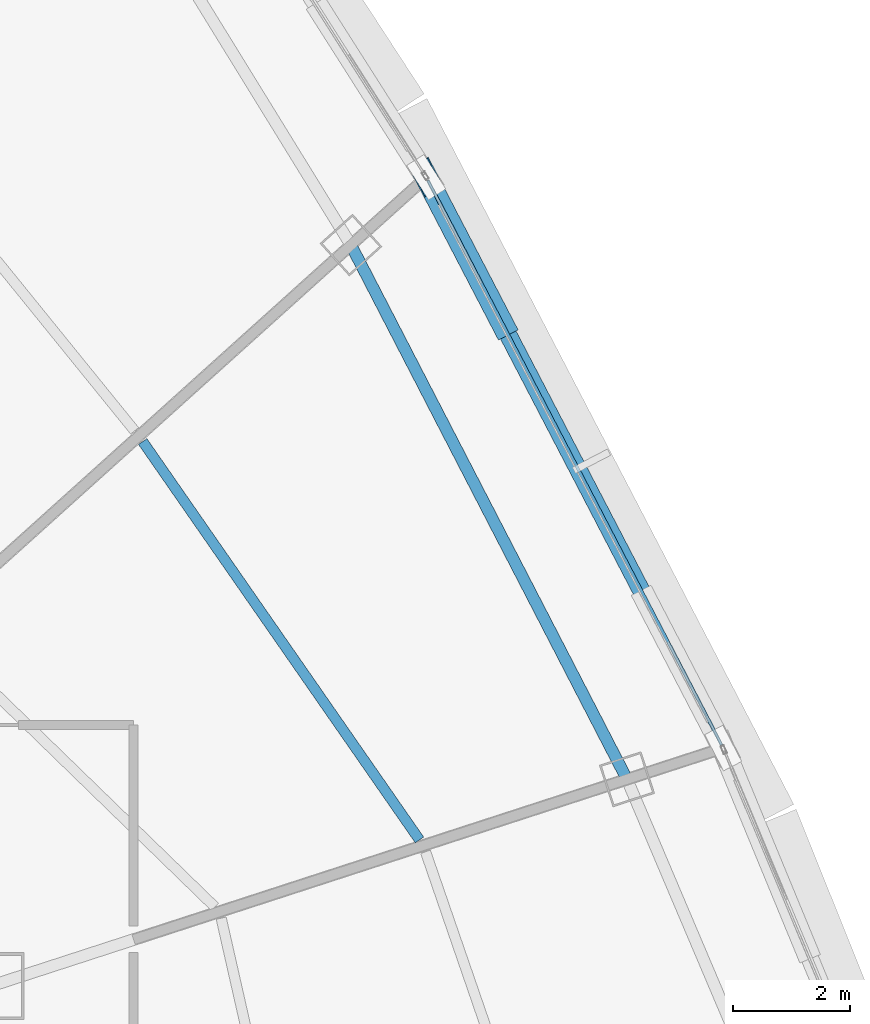
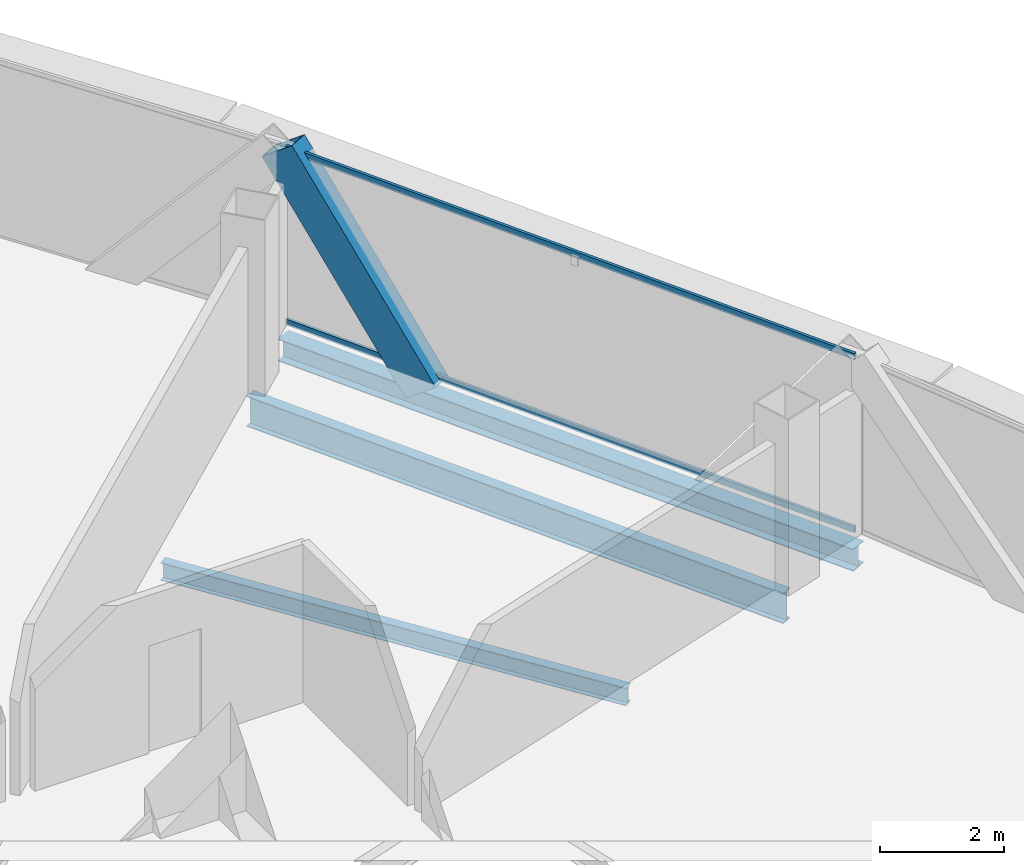
# One storey, part 18 of 35: 3 beams, 3 members, 1 element without a shape of its own.
"""IFC4 building model written with IfcOpenShell, lengths in metres."""

from ifc_helpers import new_model, si_unit, direction, frame, origin, origin_2d, place, context, subcontext, project, spatial, hollow_rectangle, i_section, extrude, source, transform, mapped, material, layer, layer_set, material_profile, profile_set, type_object, element, aggregate, save


model = new_model("IFC4")

# Units and contexts
model_context = context("Model", 3, precision=1e-05, world=origin(), true_north=direction((0.0, 1.0)))
body_context = subcontext(model_context, "Body", "Model", "MODEL_VIEW")
ifc_project = project(units=[si_unit("LENGTHUNIT", "METRE"), si_unit("AREAUNIT", "SQUARE_METRE"), si_unit("VOLUMEUNIT", "CUBIC_METRE"), si_unit("PLANEANGLEUNIT", "RADIAN"), si_unit("MASSUNIT", "GRAM", prefix="KILO"), si_unit("THERMODYNAMICTEMPERATUREUNIT", "KELVIN"), si_unit("POWERUNIT", "WATT")], contexts=[model_context])

# Site, building, storey
site_placement = place(None, origin())
site = spatial("IfcSite", under=ifc_project, at=site_placement, CompositionType="ELEMENT")
building_placement = place(site_placement, origin())
building = spatial("IfcBuilding", under=site, at=building_placement, Name="Yunzhuo Pagoda Commons", CompositionType="ELEMENT")
storey_placement = place(building_placement, frame((0.0, 0.0, 299.93994140625)))
storey = spatial("IfcBuildingStorey", under=building, at=storey_placement, Name="L75", CompositionType="ELEMENT", Elevation=299.93994140625)

# Beams
ifc_material_1 = material(Name="Structural steel Q355B", Category="steel")
ifc_material_profile_1 = material_profile(ifc_material_1, i_section(OverallWidth=0.199951171875, OverallDepth=0.60009765625, WebThickness=0.010986328125, FlangeThickness=0.01708984375, at=origin_2d()), Name="Structural steel Q355B")
ifc_profile_set_1 = profile_set([ifc_material_profile_1], Name="Structural steel Q355B")
beam_type_1 = type_object("IfcBeamType", Name="B-RG3 Beam HN 600x200x11x17", PredefinedType="BEAM", material=ifc_profile_set_1)
shared_shape_1 = source(origin(), body_context, "Body", "SweptSolid", [
    extrude(i_section(OverallWidth=0.199951171875, OverallDepth=0.60009765625, WebThickness=0.010986328125, FlangeThickness=0.01708984375, at=origin_2d()), origin(), (0.0, 0.0, 1.0), 10.3017578125),
])
beam_1_placement = place(storey_placement, frame((71.302490234375, 41.271484375, -0.56005859375), z_axis=(-0.459070867827, 0.888399650108, 0.0), x_axis=(-0.888399650108, -0.459070867827, 0.0)))
element("IfcBeam", 1, at=beam_1_placement, inside=storey, type_object=beam_type_1, Name="L75 column-ring beam 6", PredefinedType="BEAM", context=body_context, shape_type="MappedRepresentation", body=[
    mapped(shared_shape_1, transform((0.0, 0.0, 0.0), scale=1.0)),
])
ifc_material_profile_2 = material_profile(ifc_material_1, i_section(OverallWidth=0.175048828125, OverallDepth=0.35009765625, WebThickness=0.007080078125, FlangeThickness=0.010986328125, at=origin_2d()), Name="Structural steel Q355B")
ifc_profile_set_2 = profile_set([ifc_material_profile_2], Name="Structural steel Q355B")
beam_type_2 = type_object("IfcBeamType", Name="B-JS2 Joist HN 350x175x7x11", PredefinedType="JOIST", material=ifc_profile_set_2)
shared_shape_2 = source(origin(), body_context, "Body", "SweptSolid", [
    extrude(i_section(OverallWidth=0.175048828125, OverallDepth=0.35009765625, WebThickness=0.007080078125, FlangeThickness=0.010986328125, at=origin_2d()), origin(), (0.0, 0.0, 1.0), 8.31103515625),
])
beam_2_placement = place(storey_placement, frame((67.748046875, 40.232421875, -0.43505859375), z_axis=(-0.570615989364, 0.821217019236, 0.0), x_axis=(-0.821217019236, -0.570615989364, 0.0)))
element("IfcBeam", 2, at=beam_2_placement, inside=storey, type_object=beam_type_2, Name="L75 composite ring joist 2.6", PredefinedType="JOIST", context=body_context, shape_type="MappedRepresentation", body=[
    mapped(shared_shape_2, transform((0.0, 0.0, 0.0), scale=1.0)),
])
ifc_material_profile_3 = material_profile(ifc_material_1, i_section(OverallWidth=0.300048828125, OverallDepth=0.43994140625, WebThickness=0.010986328125, FlangeThickness=0.01806640625, at=origin_2d()), Name="Structural steel Q355B")
ifc_profile_set_3 = profile_set([ifc_material_profile_3], Name="Structural steel Q355B")
beam_type_3 = type_object("IfcBeamType", Name="B-SP2 Beam HM 440x300x11x18", PredefinedType="BEAM", material=ifc_profile_set_3)
shared_shape_3 = source(origin(), body_context, "Body", "SweptSolid", [
    extrude(i_section(OverallWidth=0.300048828125, OverallDepth=0.43994140625, WebThickness=0.010986328125, FlangeThickness=0.01806640625, at=origin_2d()), origin(), (0.0, 0.0, 1.0), 11.022216796875),
])
beam_3_placement = place(storey_placement, frame((72.949951171875, 41.806640625, -0.47998046875), z_axis=(-0.461491516084, 0.887144622135, 0.0), x_axis=(-0.887144622135, -0.461491516084, 0.0)))
element("IfcBeam", 3, at=beam_3_placement, inside=storey, type_object=beam_type_3, Name="L75 facade edge spandrel beam F2.2", PredefinedType="BEAM", context=body_context, shape_type="MappedRepresentation", body=[
    mapped(shared_shape_3, transform((0.0, 0.0, 0.0), scale=1.0)),
])

# Member
ifc_material_profile_4 = material_profile(ifc_material_1, hollow_rectangle(XDim=0.3798828125, YDim=0.719970703125, WallThickness=0.02001953125, at=origin_2d()), Name="Structural steel Q355B")
ifc_profile_set_4 = profile_set([ifc_material_profile_4], Name="Structural steel Q355B")
member_type_1 = type_object("IfcMemberType", Name="M-DL3 Brace BOX 720x380x20", PredefinedType="BRACE", material=ifc_profile_set_4)
shared_shape_4 = source(origin(), body_context, "Body", "SweptSolid", [
    extrude(hollow_rectangle(XDim=0.3798828125, YDim=0.719970703125, WallThickness=0.02001953125, at=origin_2d()), origin(), (0.0, 0.0, 1.0), 4.637451171875),
])
member_1_placement = place(storey_placement, frame((69.135009765625, 49.140380859375, -0.260009765625), z_axis=(-0.274229639101, 0.527137910601, 0.804315689419), x_axis=(-0.887135553704, -0.461508948292, 0.0)))
element("IfcMember", 4, at=member_1_placement, inside=storey, type_object=member_type_1, Name="L75 facade diamond brace F2.2R", PredefinedType="BRACE", context=body_context, shape_type="MappedRepresentation", body=[
    mapped(shared_shape_4, transform((0.0, 0.0, 0.0), scale=1.0)),
])

# Curtain wall, members
ifc_material_2 = material(Name="Anodized aluminium 6063-T6", Category="aluminium")
ifc_layer = layer(ifc_material_2, 0.139892578125)
ifc_layer_set = layer_set([ifc_layer], Name="Anodized aluminium 6063-T6")
curtain_wall_type = type_object("IfcCurtainWallType", Name="CW-HI High-Zone Ribbon Curtain Wall", PredefinedType="NOTDEFINED", material=ifc_layer_set)
curtain_wall_placement = place(storey_placement, origin())
curtain_wall = element("IfcCurtainWall", 5, at=curtain_wall_placement, inside=storey, type_object=curtain_wall_type, Name="L75 curtain wall CW-L75-F2B3", PredefinedType="NOTDEFINED")
ifc_material_profile_5 = material_profile(ifc_material_2, hollow_rectangle(XDim=0.054931640625, YDim=0.1201171875, WallThickness=0.00341796875, at=origin_2d()), Name="Anodized aluminium 6063-T6")
ifc_profile_set_5 = profile_set([ifc_material_profile_5], Name="Anodized aluminium 6063-T6")
member_type_2 = type_object("IfcMemberType", Name="CW-HI-T Transom RHS 120x55x3.5", PredefinedType="USERDEFINED", material=ifc_profile_set_5)
shared_shape_5 = source(origin(), body_context, "Body", "SweptSolid", [
    extrude(hollow_rectangle(XDim=0.054931640625, YDim=0.1201171875, WallThickness=0.00341796875, at=origin_2d()), origin(), (0.0, 0.0, 1.0), 10.90234375),
])
member_2_placement = place(storey_placement, frame((72.92236328125, 41.85986328125, 0.027587890625), z_axis=(-0.461505732597, 0.887137226578, 0.0), x_axis=(-0.887137226578, -0.461505732597, 0.0)))
member_2 = element("IfcMember", 6, at=member_2_placement, type_object=member_type_2, Name="CW transom 1.1", ObjectType="TRANSOM", PredefinedType="USERDEFINED", context=body_context, shape_type="MappedRepresentation", body=[
    mapped(shared_shape_5, transform((0.0, 0.0, 0.0), scale=1.0)),
])
member_3_placement = place(storey_placement, frame((72.92236328125, 41.85986328125, 3.442626953125), z_axis=(-0.461505732597, 0.887137226578, 0.0), x_axis=(-0.887137226578, -0.461505732597, 0.0)))
member_3 = element("IfcMember", 7, at=member_3_placement, type_object=member_type_2, Name="CW transom 1.2", ObjectType="TRANSOM", PredefinedType="USERDEFINED", context=body_context, shape_type="MappedRepresentation", body=[
    mapped(shared_shape_5, transform((0.0, 0.0, 0.0), scale=1.0)),
])
aggregate(curtain_wall, [member_2, member_3])

save(model, "model.ifc")
